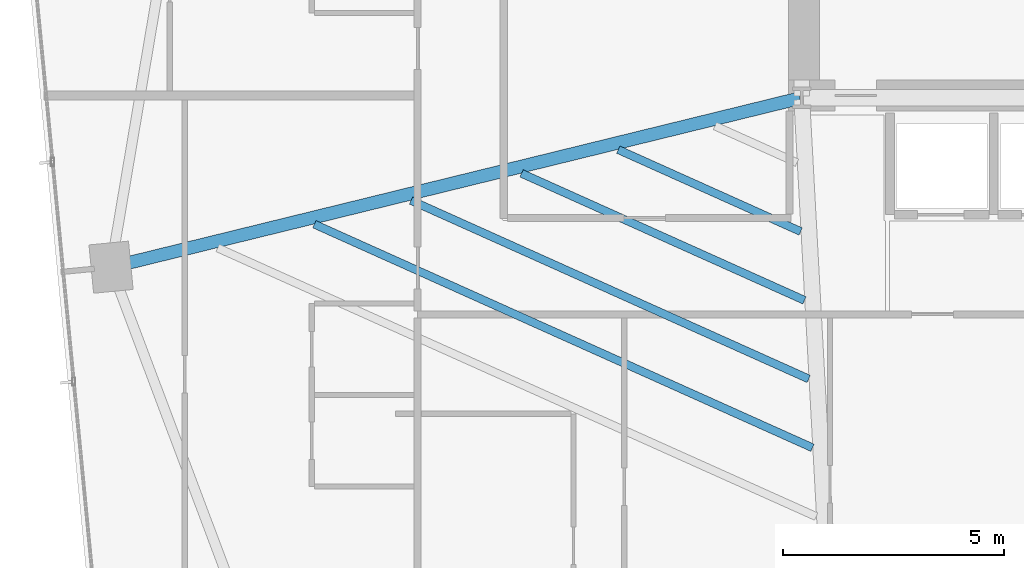
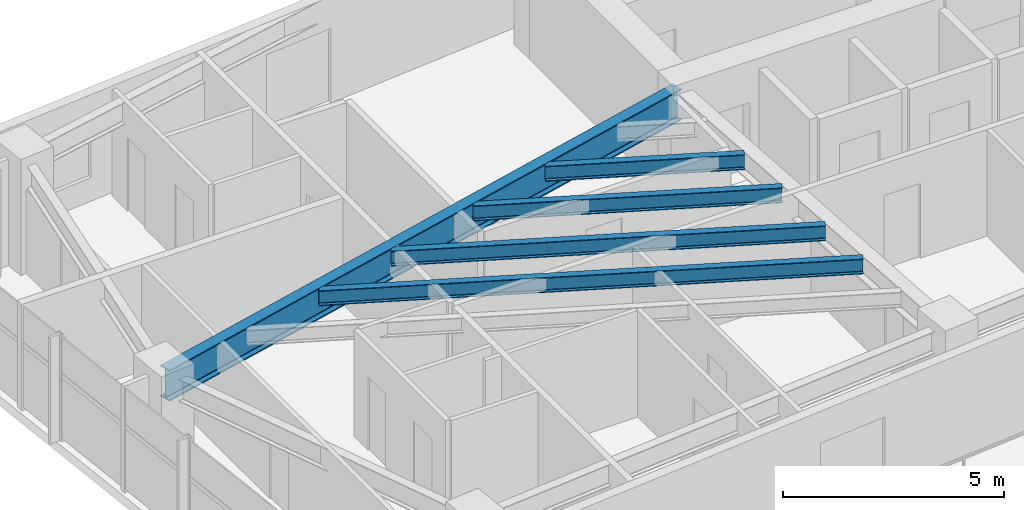
# One storey, part 5 of 27: 5 beams.
"""IFC4 building model written with IfcOpenShell, lengths in metres."""

from ifc_helpers import new_model, si_unit, direction, frame, origin, origin_2d, place, context, subcontext, project, spatial, i_section, extrude, source, transform, mapped, material, material_profile, profile_set, type_object, type_shapes, element, save


model = new_model("IFC4")

# Units and contexts
model_context = context("Model", 3, precision=1e-05, world=origin(), true_north=direction((0.0, 1.0)))
body_context = subcontext(model_context, "Body", "Model", "MODEL_VIEW")
ifc_project = project(units=[si_unit("LENGTHUNIT", "METRE"), si_unit("AREAUNIT", "SQUARE_METRE"), si_unit("VOLUMEUNIT", "CUBIC_METRE"), si_unit("PLANEANGLEUNIT", "RADIAN"), si_unit("MASSUNIT", "GRAM", prefix="KILO")], contexts=[model_context])

# Site, building, storey
site_placement = place(None, origin())
site = spatial("IfcSite", under=ifc_project, at=site_placement, CompositionType="ELEMENT")
building_placement = place(site_placement, origin())
building = spatial("IfcBuilding", under=site, at=building_placement, Name="Astriad Promenade Condominiums", CompositionType="ELEMENT")
storey_placement = place(building_placement, frame((0.0, 0.0, 90.60009765625)))
storey = spatial("IfcBuildingStorey", under=building, at=storey_placement, Name="L25", CompositionType="ELEMENT", Elevation=90.60009765625)

# Beams
ifc_material = material(Name="Steel ASTM A992 Grade 50", Category="steel")
ifc_material_profile_1 = material_profile(ifc_material, i_section(OverallWidth=0.2919921875, OverallDepth=0.85888671875, WebThickness=0.01708984375, FlangeThickness=0.031005859375, FilletRadius=0.02294921875, at=origin_2d()), Name="W33X169")
ifc_profile_set_1 = profile_set([ifc_material_profile_1], Name="Steel ASTM A992 Grade 50")
beam_type_1 = type_object("IfcBeamType", Name="STEEL PRIMARY GIRDER W33X169", PredefinedType="BEAM", material=ifc_profile_set_1)
shared_shape_1 = source(origin(), body_context, "Body", "SweptSolid", [
    extrude(i_section(OverallWidth=0.2919921875, OverallDepth=0.85888671875, WebThickness=0.01708984375, FlangeThickness=0.031005859375, FilletRadius=0.02294921875, at=origin_2d()), origin(), (0.0, 0.0, 1.0), 16.032470703125),
])
type_shapes(beam_type_1, [shared_shape_1])
beam_1_placement = place(storey_placement, frame((10.790283203125, 13.5703125, 2.510498046875), z_axis=(0.971199076901, 0.238269496633, 0.0), x_axis=(-0.238269496633, 0.971199076901, 0.0)))
element("IfcBeam", 1, at=beam_1_placement, inside=storey, type_object=beam_type_1, Name="Primary Floor Girder PG-WM-L25", PredefinedType="BEAM", context=body_context, shape_type="MappedRepresentation", body=[
    mapped(shared_shape_1, transform((0.0, 0.0, 0.0), scale=1.0)),
])
ifc_material_profile_2 = material_profile(ifc_material, i_section(OverallWidth=0.180908203125, OverallDepth=0.417236328125, WebThickness=0.010986328125, FlangeThickness=0.018310546875, FilletRadius=0.013916015625, at=origin_2d()), Name="W16X57")
ifc_profile_set_2 = profile_set([ifc_material_profile_2], Name="Steel ASTM A992 Grade 50")
beam_type_2 = type_object("IfcBeamType", Name="STEEL FLOOR JOIST W16X57", PredefinedType="JOIST", material=ifc_profile_set_2)
shared_shape_2 = source(origin(), body_context, "Body", "SweptSolid", [
    extrude(i_section(OverallWidth=0.180908203125, OverallDepth=0.417236328125, WebThickness=0.010986328125, FlangeThickness=0.018310546875, FilletRadius=0.013916015625, at=origin_2d()), origin(), (0.0, 0.0, 1.0), 12.369140625),
])
beam_2_placement = place(storey_placement, frame((15.35888671875, 14.534423828125, 2.731201171875), z_axis=(0.91230851279, -0.409503574454, 0.0), x_axis=(0.409503574454, 0.91230851279, 0.0)))
element("IfcBeam", 2, at=beam_2_placement, inside=storey, type_object=beam_type_2, Name="Secondary Composite Floor Joist JW1-2-L25", PredefinedType="JOIST", context=body_context, shape_type="MappedRepresentation", body=[
    mapped(shared_shape_2, transform((0.0, 0.0, 0.0), scale=1.0)),
])
shared_shape_3 = source(origin(), body_context, "Body", "SweptSolid", [
    extrude(i_section(OverallWidth=0.180908203125, OverallDepth=0.417236328125, WebThickness=0.010986328125, FlangeThickness=0.018310546875, FilletRadius=0.013916015625, at=origin_2d()), origin(), (0.0, 0.0, 1.0), 9.875),
])
beam_3_placement = place(storey_placement, frame((17.549560546875, 15.072021484375, 2.731201171875), z_axis=(0.912313833055, -0.409491721549, 0.0), x_axis=(0.409491721549, 0.912313833055, 0.0)))
element("IfcBeam", 3, at=beam_3_placement, inside=storey, type_object=beam_type_2, Name="Secondary Composite Floor Joist JW1-3-L25", PredefinedType="JOIST", context=body_context, shape_type="MappedRepresentation", body=[
    mapped(shared_shape_3, transform((0.0, 0.0, 0.0), scale=1.0)),
])
shared_shape_4 = source(origin(), body_context, "Body", "SweptSolid", [
    extrude(i_section(OverallWidth=0.180908203125, OverallDepth=0.417236328125, WebThickness=0.010986328125, FlangeThickness=0.018310546875, FilletRadius=0.013916015625, at=origin_2d()), origin(), (0.0, 0.0, 1.0), 7.024169921875),
])
beam_4_placement = place(storey_placement, frame((20.053466796875, 15.686279296875, 2.731201171875), z_axis=(0.912306106293, -0.409508935703, 0.0), x_axis=(0.409508935703, 0.912306106293, 0.0)))
element("IfcBeam", 4, at=beam_4_placement, inside=storey, type_object=beam_type_2, Name="Secondary Composite Floor Joist JW1-4-L25", PredefinedType="JOIST", context=body_context, shape_type="MappedRepresentation", body=[
    mapped(shared_shape_4, transform((0.0, 0.0, 0.0), scale=1.0)),
])
shared_shape_5 = source(origin(), body_context, "Body", "SweptSolid", [
    extrude(i_section(OverallWidth=0.180908203125, OverallDepth=0.417236328125, WebThickness=0.010986328125, FlangeThickness=0.018310546875, FilletRadius=0.013916015625, at=origin_2d()), origin(), (0.0, 0.0, 1.0), 4.52978515625),
])
type_shapes(beam_type_2, [shared_shape_2, shared_shape_3, shared_shape_4, shared_shape_5])
beam_5_placement = place(storey_placement, frame((22.244140625, 16.2236328125, 2.731201171875), z_axis=(0.912307341368, -0.409506184186, 0.0), x_axis=(0.409506184186, 0.912307341368, 0.0)))
element("IfcBeam", 5, at=beam_5_placement, inside=storey, type_object=beam_type_2, Name="Secondary Composite Floor Joist JW1-5-L25", PredefinedType="JOIST", context=body_context, shape_type="MappedRepresentation", body=[
    mapped(shared_shape_5, transform((0.0, 0.0, 0.0), scale=1.0)),
])

save(model, "model.ifc")
